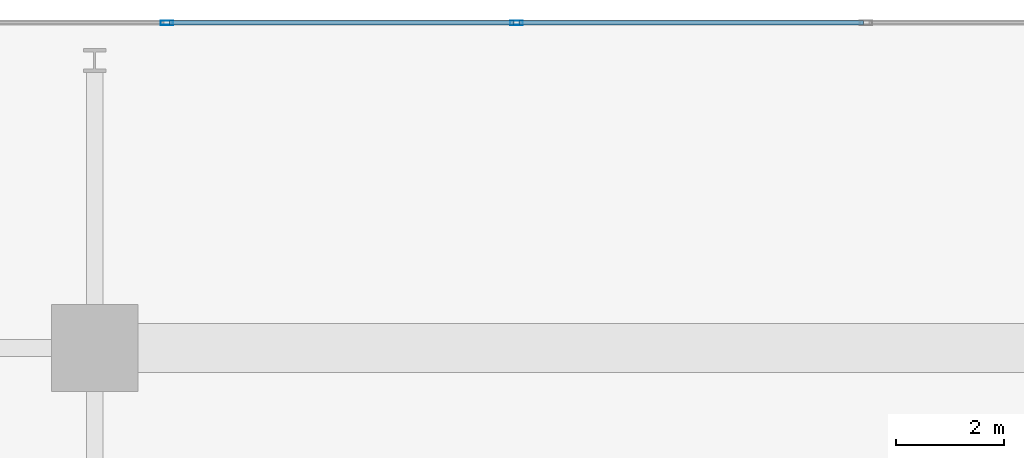
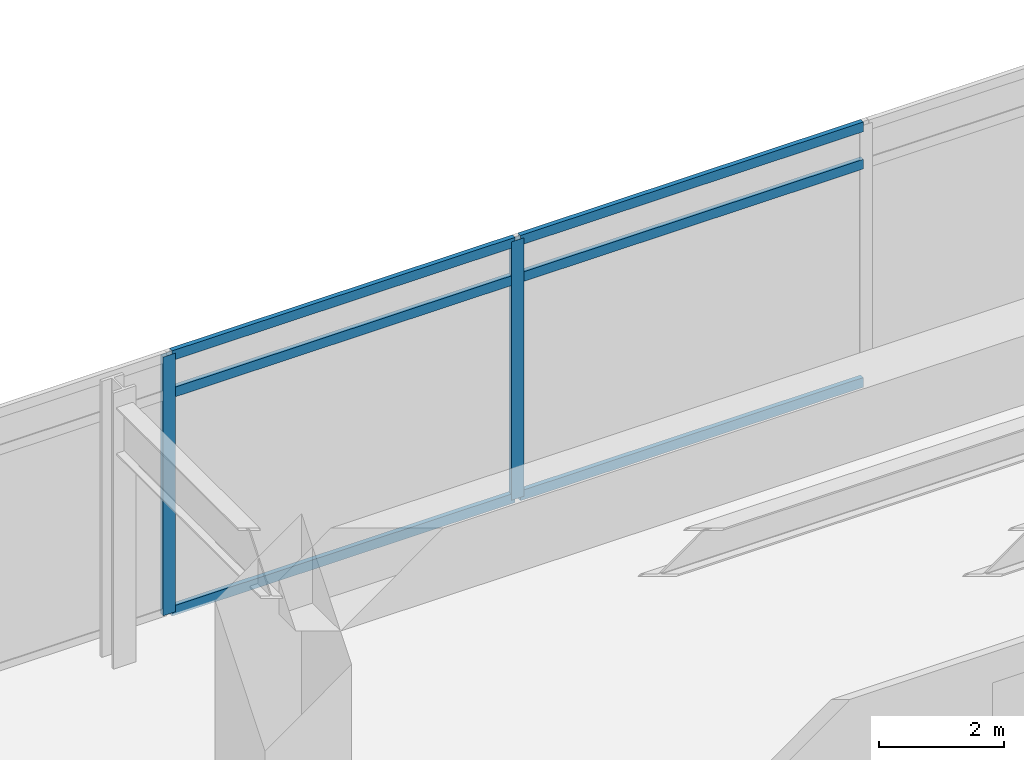
# One storey, part 17 of 26: 8 members, 1 element without a shape of its own.
"""IFC4 building model written with IfcOpenShell, lengths in metres."""

from ifc_helpers import new_model, si_unit, direction, frame, origin, origin_2d, place, context, subcontext, project, spatial, hollow_rectangle, extrude, material, material_profile, profile_set, type_object, element, aggregate, save


model = new_model("IFC4")

# Units and contexts
model_context = context("Model", 3, precision=1e-05, world=origin(), true_north=direction((0.0, 1.0)))
body_context = subcontext(model_context, "Body", "Model", "MODEL_VIEW")
ifc_project = project(units=[si_unit("LENGTHUNIT", "METRE"), si_unit("AREAUNIT", "SQUARE_METRE"), si_unit("VOLUMEUNIT", "CUBIC_METRE"), si_unit("PLANEANGLEUNIT", "RADIAN"), si_unit("MASSUNIT", "GRAM", prefix="KILO")], contexts=[model_context])

# Site, building, storey
site_placement = place(None, origin())
site = spatial("IfcSite", under=ifc_project, at=site_placement, CompositionType="ELEMENT")
building_placement = place(site_placement, origin())
building = spatial("IfcBuilding", under=site, at=building_placement, Name="Kovane Verandah Tower", CompositionType="ELEMENT")
storey_placement = place(building_placement, frame((0.0, 0.0, 113.0)))
storey = spatial("IfcBuildingStorey", under=building, at=storey_placement, Name="L26", CompositionType="ELEMENT", Elevation=113.0)

# Curtain wall, members
ifc_material_1 = material(Name="Champagne Anodised Aluminium Frame with Low-E Clear Laminated Glass", Category="aluminium")
curtain_wall_type = type_object("IfcCurtainWallType", Name="CW-SYS-02-LOW", PredefinedType="NOTDEFINED", material=ifc_material_1)
curtain_wall_placement = place(storey_placement, origin())
curtain_wall = element("IfcCurtainWall", 1, at=curtain_wall_placement, inside=storey, type_object=curtain_wall_type, Name="L26 N Unitised Curtain Wall", PredefinedType="NOTDEFINED")
ifc_material_2 = material(Name="Champagne Anodised Aluminium 6063-T6", Category="aluminium")
ifc_material_profile_1 = material_profile(ifc_material_2, hollow_rectangle(XDim=0.0849609375, YDim=0.22998046875, WallThickness=0.00390625, at=origin_2d()), Name="AL85x230x4")
ifc_profile_set_1 = profile_set([ifc_material_profile_1], Name="Champagne Anodised Aluminium 6063-T6")
member_type_1 = type_object("IfcMemberType", Name="CW-MUL-85x230", PredefinedType="MULLION", material=ifc_profile_set_1)
member_1_placement = place(storey_placement, frame((36.776611328125, 50.19482421875, 0.02001953125), z_axis=(0.0, 0.0, 1.0), x_axis=(0.0, 1.0, 0.0)))
member_1 = element("IfcMember", 2, at=member_1_placement, type_object=member_type_1, Name="L26 N Unitised Curtain Wall Mullion 5", PredefinedType="MULLION", context=body_context, shape_type="SweptSolid", body=[
    extrude(hollow_rectangle(XDim=0.0849609375, YDim=0.22998046875, WallThickness=0.00390625, at=origin_2d()), origin(), (0.0, 0.0, 1.0), 5.06005859375),
])
member_2_placement = place(storey_placement, frame((30.32958984375, 50.19482421875, 0.02001953125), z_axis=(0.0, 0.0, 1.0), x_axis=(0.0, 1.0, 0.0)))
member_2 = element("IfcMember", 3, at=member_2_placement, type_object=member_type_1, Name="L26 N Unitised Curtain Wall Mullion 6", PredefinedType="MULLION", context=body_context, shape_type="SweptSolid", body=[
    extrude(hollow_rectangle(XDim=0.0849609375, YDim=0.22998046875, WallThickness=0.00390625, at=origin_2d()), origin(), (0.0, 0.0, 1.0), 5.06005859375),
])
ifc_material_profile_2 = material_profile(ifc_material_2, hollow_rectangle(XDim=0.0849609375, YDim=0.18994140625, WallThickness=0.00390625, at=origin_2d()), Name="AL85x190x4")
ifc_profile_set_2 = profile_set([ifc_material_profile_2], Name="Champagne Anodised Aluminium 6063-T6")
member_type_2 = type_object("IfcMemberType", Name="CW-TRN-85x190", PredefinedType="USERDEFINED", material=ifc_profile_set_2)
member_3_placement = place(storey_placement, frame((43.17333984375, 50.19482421875, 0.050048828125), z_axis=(-1.0, 0.0, 0.0), x_axis=(0.0, -1.0, 0.0)))
member_3 = element("IfcMember", 4, at=member_3_placement, type_object=member_type_2, Name="L26 N Unitised Curtain Wall Transom TB Bay 4", ObjectType="TRANSOM", PredefinedType="USERDEFINED", context=body_context, shape_type="SweptSolid", body=[
    extrude(hollow_rectangle(XDim=0.0849609375, YDim=0.18994140625, WallThickness=0.00390625, at=origin_2d()), origin(), (0.0, 0.0, 1.0), 6.3466796875),
])
member_4_placement = place(storey_placement, frame((43.17333984375, 50.19482421875, 4.320068359375), z_axis=(-1.0, 0.0, 0.0), x_axis=(0.0, -1.0, 0.0)))
member_4 = element("IfcMember", 5, at=member_4_placement, type_object=member_type_2, Name="L26 N Unitised Curtain Wall Transom TM Bay 4", ObjectType="TRANSOM", PredefinedType="USERDEFINED", context=body_context, shape_type="SweptSolid", body=[
    extrude(hollow_rectangle(XDim=0.0849609375, YDim=0.18994140625, WallThickness=0.00390625, at=origin_2d()), origin(), (0.0, 0.0, 1.0), 6.3466796875),
])
member_5_placement = place(storey_placement, frame((43.17333984375, 50.19482421875, 5.050048828125), z_axis=(-1.0, 0.0, 0.0), x_axis=(0.0, -1.0, 0.0)))
member_5 = element("IfcMember", 6, at=member_5_placement, type_object=member_type_2, Name="L26 N Unitised Curtain Wall Transom TT Bay 4", ObjectType="TRANSOM", PredefinedType="USERDEFINED", context=body_context, shape_type="SweptSolid", body=[
    extrude(hollow_rectangle(XDim=0.0849609375, YDim=0.18994140625, WallThickness=0.00390625, at=origin_2d()), origin(), (0.0, 0.0, 1.0), 6.3466796875),
])
member_6_placement = place(storey_placement, frame((36.7265625, 50.19482421875, 0.050048828125), z_axis=(-1.0, 0.0, 0.0), x_axis=(0.0, -1.0, 0.0)))
member_6 = element("IfcMember", 7, at=member_6_placement, type_object=member_type_2, Name="L26 N Unitised Curtain Wall Transom TB Bay 5", ObjectType="TRANSOM", PredefinedType="USERDEFINED", context=body_context, shape_type="SweptSolid", body=[
    extrude(hollow_rectangle(XDim=0.0849609375, YDim=0.18994140625, WallThickness=0.00390625, at=origin_2d()), origin(), (0.0, 0.0, 1.0), 6.346923828125),
])
member_7_placement = place(storey_placement, frame((36.7265625, 50.19482421875, 4.320068359375), z_axis=(-1.0, 0.0, 0.0), x_axis=(0.0, -1.0, 0.0)))
member_7 = element("IfcMember", 8, at=member_7_placement, type_object=member_type_2, Name="L26 N Unitised Curtain Wall Transom TM Bay 5", ObjectType="TRANSOM", PredefinedType="USERDEFINED", context=body_context, shape_type="SweptSolid", body=[
    extrude(hollow_rectangle(XDim=0.0849609375, YDim=0.18994140625, WallThickness=0.00390625, at=origin_2d()), origin(), (0.0, 0.0, 1.0), 6.346923828125),
])
member_8_placement = place(storey_placement, frame((36.7265625, 50.19482421875, 5.050048828125), z_axis=(-1.0, 0.0, 0.0), x_axis=(0.0, -1.0, 0.0)))
member_8 = element("IfcMember", 9, at=member_8_placement, type_object=member_type_2, Name="L26 N Unitised Curtain Wall Transom TT Bay 5", ObjectType="TRANSOM", PredefinedType="USERDEFINED", context=body_context, shape_type="SweptSolid", body=[
    extrude(hollow_rectangle(XDim=0.0849609375, YDim=0.18994140625, WallThickness=0.00390625, at=origin_2d()), origin(), (0.0, 0.0, 1.0), 6.346923828125),
])
aggregate(curtain_wall, [member_1, member_2, member_3, member_4, member_5, member_6, member_7, member_8])

save(model, "model.ifc")
